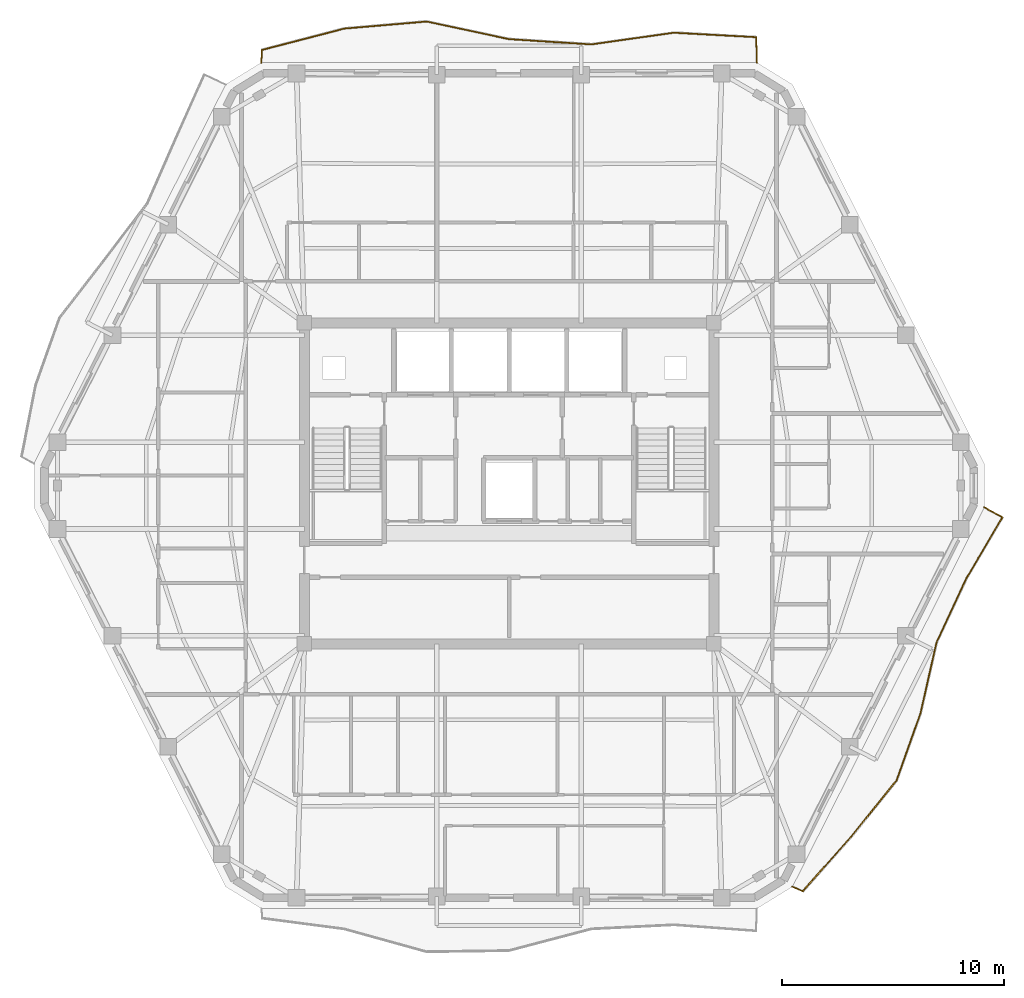
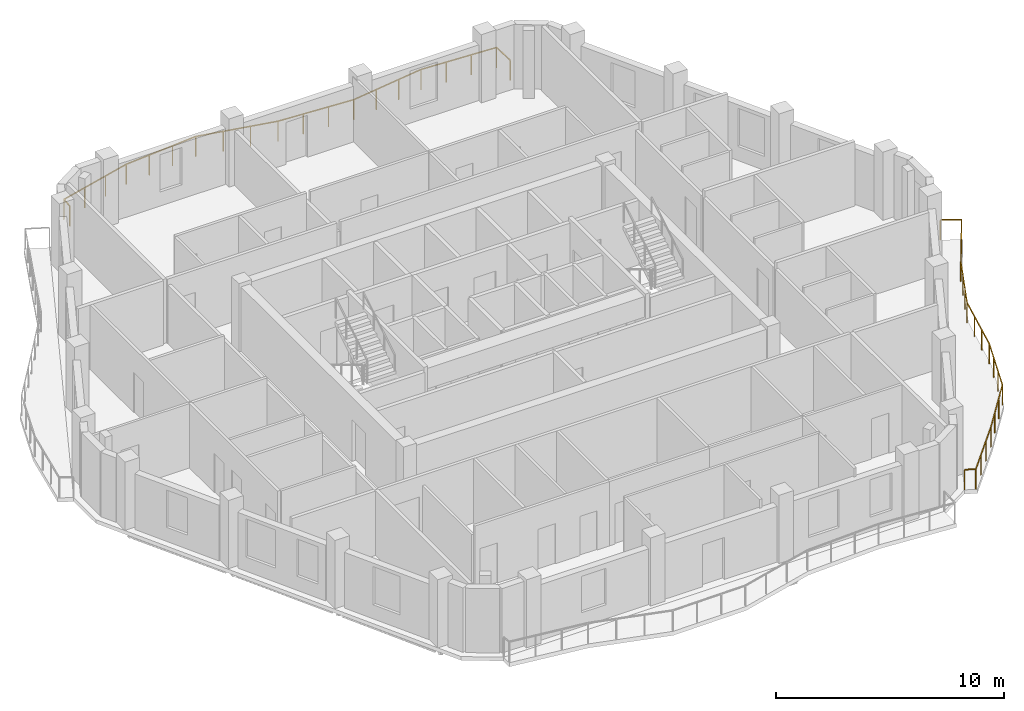
# One storey, part 11 of 11: 2 railings.
"""IFC4 building model written with IfcOpenShell, lengths in metres."""

from ifc_helpers import new_model, si_unit, direction, frame, origin, origin_2d, place, context, subcontext, project, spatial, rectangle, extrude, material, type_object, element, save


model = new_model("IFC4")

# Units and contexts
model_context = context("Model", 3, precision=1e-05, world=origin(), true_north=direction((0.0, 1.0)))
body_context = subcontext(model_context, "Body", "Model", "MODEL_VIEW")
ifc_project = project(units=[si_unit("LENGTHUNIT", "METRE"), si_unit("AREAUNIT", "SQUARE_METRE"), si_unit("VOLUMEUNIT", "CUBIC_METRE"), si_unit("PLANEANGLEUNIT", "RADIAN"), si_unit("MASSUNIT", "GRAM", prefix="KILO")], contexts=[model_context])

# Site, building, storey
site_placement = place(None, origin())
site = spatial("IfcSite", under=ifc_project, at=site_placement, CompositionType="ELEMENT")
building_placement = place(site_placement, origin())
building = spatial("IfcBuilding", under=site, at=building_placement, Name="Cinnabar Lancet Tower", CompositionType="ELEMENT")
storey_placement = place(building_placement, frame((0.0, 0.0, 248.89990234375)))
storey = spatial("IfcBuildingStorey", under=building, at=storey_placement, Name="L66", CompositionType="ELEMENT", Elevation=248.89990234375)

# Railings
ifc_material = material(Name="Laminated safety glass and bronze stainless steel balustrade", Category="steel")
railing_type = type_object("IfcRailingType", Name="ENV-RLG-BAL-1100", PredefinedType="BALUSTRADE", material=ifc_material)
railing_1_placement = place(storey_placement, frame((45.160888671875, 7.73193359375, 0.0)))
element("IfcRailing", 1, at=railing_1_placement, inside=storey, type_object=railing_type, Name="L66 Face 2 Wave Balcony Balustrade", PredefinedType="BALUSTRADE", context=body_context, shape_type="SweptSolid", body=[
    extrude(rectangle(XDim=0.048095703125, YDim=0.048095703125, at=origin_2d()), frame((0.0, 0.0, 1.076171875), z_axis=(0.91949566234, -0.393100148739, 0.0), x_axis=(0.393100148739, 0.91949566234, 0.0)), (0.0, 0.0, 1.0), 0.503662109375),
    extrude(rectangle(XDim=0.048095703125, YDim=0.048095703125, at=origin_2d()), frame((0.463134765625, -0.197998046875, 1.076171875), z_axis=(0.664096673715, 0.747646713335, 0.0), x_axis=(-0.747646713335, 0.664096673715, 0.0)), (0.0, 0.0, 1.0), 3.290283203125),
    extrude(rectangle(XDim=0.048095703125, YDim=0.048095703125, at=origin_2d()), frame((2.648193359375, 2.261962890625, 1.076171875), z_axis=(0.627765654462, 0.77840239149, 0.0), x_axis=(-0.77840239149, 0.627765654462, 0.0)), (0.0, 0.0, 1.0), 3.252685546875),
    extrude(rectangle(XDim=0.048095703125, YDim=0.048095703125, at=origin_2d()), frame((4.690185546875, 4.7939453125, 1.076171875), z_axis=(0.335752882208, 0.941950105945, 0.0), x_axis=(-0.941950105945, 0.335752882208, 0.0)), (0.0, 0.0, 1.0), 3.20751953125),
    extrude(rectangle(XDim=0.048095703125, YDim=0.048095703125, at=origin_2d()), frame((5.76708984375, 7.815185546875, 1.076171875), z_axis=(0.220484844334, 0.975390400516, 0.0), x_axis=(-0.975390400516, 0.220484844334, 0.0)), (0.0, 0.0, 1.0), 3.278564453125),
    extrude(rectangle(XDim=0.048095703125, YDim=0.048095703125, at=origin_2d()), frame((6.489990234375, 11.01318359375, 1.076171875), z_axis=(0.423364232617, 0.905959561206, 0.0), x_axis=(-0.905959561206, 0.423364232617, 0.0)), (0.0, 0.0, 1.0), 3.18212890625),
    extrude(rectangle(XDim=0.048095703125, YDim=0.048095703125, at=origin_2d()), frame((7.837158203125, 13.89599609375, 1.076171875), z_axis=(0.508301059784, 0.861179442754, 0.0), x_axis=(-0.861179442754, 0.508301059784, 0.0)), (0.0, 0.0, 1.0), 3.188720703125),
    extrude(rectangle(XDim=0.048095703125, YDim=0.048095703125, at=origin_2d()), frame((9.4580078125, 16.64208984375, 1.076171875), z_axis=(-0.878327102609, 0.47806014352, 0.0), x_axis=(-0.47806014352, -0.878327102609, 0.0)), (0.0, 0.0, 1.0), 0.928955078125),
    extrude(rectangle(XDim=0.0419921875, YDim=0.0419921875, at=origin_2d()), origin(), (0.0, 0.0, 1.0), 1.052001953125),
    extrude(rectangle(XDim=0.0419921875, YDim=0.0419921875, at=origin_2d()), frame((0.463134765625, -0.197998046875, 0.0)), (0.0, 0.0, 1.0), 1.052001953125),
    extrude(rectangle(XDim=0.0419921875, YDim=0.0419921875, at=origin_2d()), frame((1.19140625, 0.6220703125, 0.0)), (0.0, 0.0, 1.0), 1.052001953125),
    extrude(rectangle(XDim=0.0419921875, YDim=0.0419921875, at=origin_2d()), frame((1.919921875, 1.44189453125, 0.0)), (0.0, 0.0, 1.0), 1.052001953125),
    extrude(rectangle(XDim=0.0419921875, YDim=0.0419921875, at=origin_2d()), frame((2.648193359375, 2.261962890625, 0.0)), (0.0, 0.0, 1.0), 1.052001953125),
    extrude(rectangle(XDim=0.0419921875, YDim=0.0419921875, at=origin_2d()), frame((3.328857421875, 3.10595703125, 0.0)), (0.0, 0.0, 1.0), 1.052001953125),
    extrude(rectangle(XDim=0.0419921875, YDim=0.0419921875, at=origin_2d()), frame((4.009521484375, 3.949951171875, 0.0)), (0.0, 0.0, 1.0), 1.052001953125),
    extrude(rectangle(XDim=0.0419921875, YDim=0.0419921875, at=origin_2d()), frame((4.690185546875, 4.7939453125, 0.0)), (0.0, 0.0, 1.0), 1.052001953125),
    extrude(rectangle(XDim=0.0419921875, YDim=0.0419921875, at=origin_2d()), frame((5.049072265625, 5.801025390625, 0.0)), (0.0, 0.0, 1.0), 1.052001953125),
    extrude(rectangle(XDim=0.0419921875, YDim=0.0419921875, at=origin_2d()), frame((5.408203125, 6.80810546875, 0.0)), (0.0, 0.0, 1.0), 1.052001953125),
    extrude(rectangle(XDim=0.0419921875, YDim=0.0419921875, at=origin_2d()), frame((5.76708984375, 7.815185546875, 0.0)), (0.0, 0.0, 1.0), 1.052001953125),
    extrude(rectangle(XDim=0.0419921875, YDim=0.0419921875, at=origin_2d()), frame((6.008056640625, 8.881103515625, 0.0)), (0.0, 0.0, 1.0), 1.052001953125),
    extrude(rectangle(XDim=0.0419921875, YDim=0.0419921875, at=origin_2d()), frame((6.2490234375, 9.947265625, 0.0)), (0.0, 0.0, 1.0), 1.052001953125),
    extrude(rectangle(XDim=0.0419921875, YDim=0.0419921875, at=origin_2d()), frame((6.489990234375, 11.01318359375, 0.0)), (0.0, 0.0, 1.0), 1.052001953125),
    extrude(rectangle(XDim=0.0419921875, YDim=0.0419921875, at=origin_2d()), frame((6.93896484375, 11.97412109375, 0.0)), (0.0, 0.0, 1.0), 1.052001953125),
    extrude(rectangle(XDim=0.0419921875, YDim=0.0419921875, at=origin_2d()), frame((7.38818359375, 12.93505859375, 0.0)), (0.0, 0.0, 1.0), 1.052001953125),
    extrude(rectangle(XDim=0.0419921875, YDim=0.0419921875, at=origin_2d()), frame((7.837158203125, 13.89599609375, 0.0)), (0.0, 0.0, 1.0), 1.052001953125),
    extrude(rectangle(XDim=0.0419921875, YDim=0.0419921875, at=origin_2d()), frame((8.37744140625, 14.811279296875, 0.0)), (0.0, 0.0, 1.0), 1.052001953125),
    extrude(rectangle(XDim=0.0419921875, YDim=0.0419921875, at=origin_2d()), frame((8.917724609375, 15.726806640625, 0.0)), (0.0, 0.0, 1.0), 1.052001953125),
    extrude(rectangle(XDim=0.0419921875, YDim=0.0419921875, at=origin_2d()), frame((9.4580078125, 16.64208984375, 0.0)), (0.0, 0.0, 1.0), 1.052001953125),
    extrude(rectangle(XDim=0.0419921875, YDim=0.0419921875, at=origin_2d()), frame((8.64208984375, 17.086181640625, 0.0)), (0.0, 0.0, 1.0), 1.052001953125),
])
railing_2_placement = place(storey_placement, frame((43.56396484375, 44.85009765625, 0.0)))
element("IfcRailing", 2, at=railing_2_placement, inside=storey, type_object=railing_type, Name="L66 Face 4 Wave Balcony Balustrade", PredefinedType="BALUSTRADE", context=body_context, shape_type="SweptSolid", body=[
    extrude(rectangle(XDim=0.048095703125, YDim=0.048095703125, at=origin_2d()), frame((0.0, 0.0, 1.076171875), z_axis=(-0.029599296215, 0.999561844842, 0.0), x_axis=(-0.999561844842, -0.029599296215, 0.0)), (0.0, 0.0, 1.0), 1.146484375),
    extrude(rectangle(XDim=0.048095703125, YDim=0.048095703125, at=origin_2d()), frame((-0.033935546875, 1.14599609375, 1.076171875), z_axis=(-0.998551540865, 0.053803533682, 0.0), x_axis=(-0.053803533682, -0.998551540865, 0.0)), (0.0, 0.0, 1.0), 3.71630859375),
    extrude(rectangle(XDim=0.048095703125, YDim=0.048095703125, at=origin_2d()), frame((-3.744873046875, 1.345947265625, 1.076171875), z_axis=(-0.990100039129, -0.14036350137, 0.0), x_axis=(0.14036350137, -0.990100039129, 0.0)), (0.0, 0.0, 1.0), 3.748291015625),
    extrude(rectangle(XDim=0.048095703125, YDim=0.048095703125, at=origin_2d()), frame((-7.4560546875, 0.81982421875, 1.076171875), z_axis=(-0.997979290667, 0.063540029897, 0.0), x_axis=(-0.063540029897, -0.997979290667, 0.0)), (0.0, 0.0, 1.0), 3.715576171875),
    extrude(rectangle(XDim=0.048095703125, YDim=0.048095703125, at=origin_2d()), frame((-11.1640625, 1.055908203125, 1.076171875), z_axis=(-0.977847604472, 0.209318089109, 0.0), x_axis=(-0.209318089109, -0.977847604472, 0.0)), (0.0, 0.0, 1.0), 3.79296875),
    extrude(rectangle(XDim=0.048095703125, YDim=0.048095703125, at=origin_2d()), frame((-14.873046875, 1.849853515625, 1.076171875), z_axis=(-0.996349517681, -0.085367667282, 0.0), x_axis=(0.085367667282, -0.996349517681, 0.0)), (0.0, 0.0, 1.0), 3.7236328125),
    extrude(rectangle(XDim=0.048095703125, YDim=0.048095703125, at=origin_2d()), frame((-18.5830078125, 1.531982421875, 1.076171875), z_axis=(-0.968038725972, -0.25080076758, 0.0), x_axis=(0.25080076758, -0.968038725972, 0.0)), (0.0, 0.0, 1.0), 3.83251953125),
    extrude(rectangle(XDim=0.048095703125, YDim=0.048095703125, at=origin_2d()), frame((-22.29296875, 0.57080078125, 1.076171875), z_axis=(-0.061049302609, -0.99813475175, 0.0), x_axis=(0.99813475175, -0.061049302609, 0.0)), (0.0, 0.0, 1.0), 0.57177734375),
    extrude(rectangle(XDim=0.0419921875, YDim=0.0419921875, at=origin_2d()), origin(), (0.0, 0.0, 1.0), 1.052001953125),
    extrude(rectangle(XDim=0.0419921875, YDim=0.0419921875, at=origin_2d()), frame((-0.033935546875, 1.14599609375, 0.0)), (0.0, 0.0, 1.0), 1.052001953125),
    extrude(rectangle(XDim=0.0419921875, YDim=0.0419921875, at=origin_2d()), frame((-1.27099609375, 1.212646484375, 0.0)), (0.0, 0.0, 1.0), 1.052001953125),
    extrude(rectangle(XDim=0.0419921875, YDim=0.0419921875, at=origin_2d()), frame((-2.5078125, 1.279296875, 0.0)), (0.0, 0.0, 1.0), 1.052001953125),
    extrude(rectangle(XDim=0.0419921875, YDim=0.0419921875, at=origin_2d()), frame((-3.744873046875, 1.345947265625, 0.0)), (0.0, 0.0, 1.0), 1.052001953125),
    extrude(rectangle(XDim=0.0419921875, YDim=0.0419921875, at=origin_2d()), frame((-4.98193359375, 1.170654296875, 0.0)), (0.0, 0.0, 1.0), 1.052001953125),
    extrude(rectangle(XDim=0.0419921875, YDim=0.0419921875, at=origin_2d()), frame((-6.218994140625, 0.9951171875, 0.0)), (0.0, 0.0, 1.0), 1.052001953125),
    extrude(rectangle(XDim=0.0419921875, YDim=0.0419921875, at=origin_2d()), frame((-7.4560546875, 0.81982421875, 0.0)), (0.0, 0.0, 1.0), 1.052001953125),
    extrude(rectangle(XDim=0.0419921875, YDim=0.0419921875, at=origin_2d()), frame((-8.692138671875, 0.8984375, 0.0)), (0.0, 0.0, 1.0), 1.052001953125),
    extrude(rectangle(XDim=0.0419921875, YDim=0.0419921875, at=origin_2d()), frame((-9.927978515625, 0.977294921875, 0.0)), (0.0, 0.0, 1.0), 1.052001953125),
    extrude(rectangle(XDim=0.0419921875, YDim=0.0419921875, at=origin_2d()), frame((-11.1640625, 1.055908203125, 0.0)), (0.0, 0.0, 1.0), 1.052001953125),
    extrude(rectangle(XDim=0.0419921875, YDim=0.0419921875, at=origin_2d()), frame((-12.400390625, 1.320556640625, 0.0)), (0.0, 0.0, 1.0), 1.052001953125),
    extrude(rectangle(XDim=0.0419921875, YDim=0.0419921875, at=origin_2d()), frame((-13.63671875, 1.585205078125, 0.0)), (0.0, 0.0, 1.0), 1.052001953125),
    extrude(rectangle(XDim=0.0419921875, YDim=0.0419921875, at=origin_2d()), frame((-14.873046875, 1.849853515625, 0.0)), (0.0, 0.0, 1.0), 1.052001953125),
    extrude(rectangle(XDim=0.0419921875, YDim=0.0419921875, at=origin_2d()), frame((-16.109619140625, 1.743896484375, 0.0)), (0.0, 0.0, 1.0), 1.052001953125),
    extrude(rectangle(XDim=0.0419921875, YDim=0.0419921875, at=origin_2d()), frame((-17.346435546875, 1.637939453125, 0.0)), (0.0, 0.0, 1.0), 1.052001953125),
    extrude(rectangle(XDim=0.0419921875, YDim=0.0419921875, at=origin_2d()), frame((-18.5830078125, 1.531982421875, 0.0)), (0.0, 0.0, 1.0), 1.052001953125),
    extrude(rectangle(XDim=0.0419921875, YDim=0.0419921875, at=origin_2d()), frame((-19.819580078125, 1.211669921875, 0.0)), (0.0, 0.0, 1.0), 1.052001953125),
    extrude(rectangle(XDim=0.0419921875, YDim=0.0419921875, at=origin_2d()), frame((-21.056396484375, 0.89111328125, 0.0)), (0.0, 0.0, 1.0), 1.052001953125),
    extrude(rectangle(XDim=0.0419921875, YDim=0.0419921875, at=origin_2d()), frame((-22.29296875, 0.57080078125, 0.0)), (0.0, 0.0, 1.0), 1.052001953125),
    extrude(rectangle(XDim=0.0419921875, YDim=0.0419921875, at=origin_2d()), frame((-22.327880859375, 0.0, 0.0)), (0.0, 0.0, 1.0), 1.052001953125),
])

save(model, "model.ifc")
